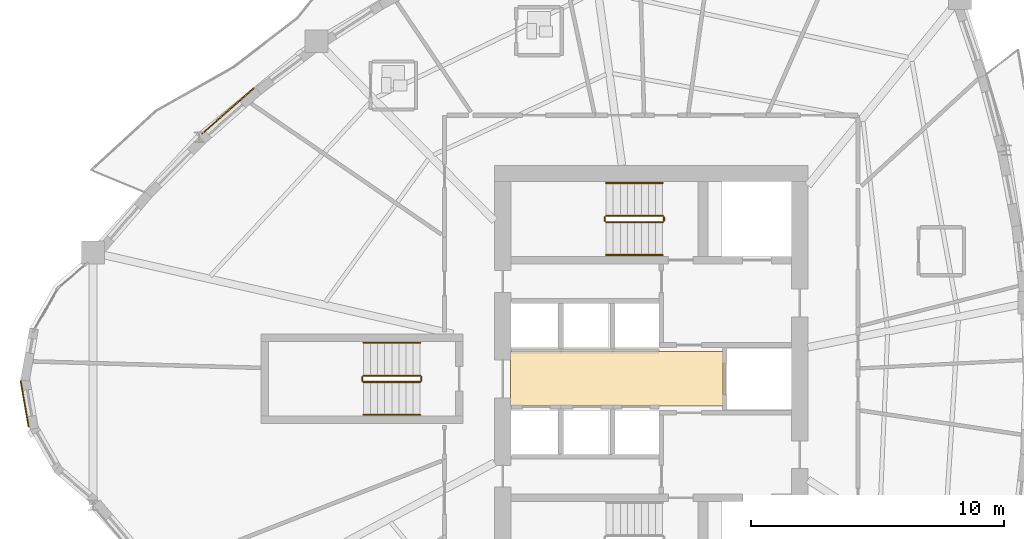
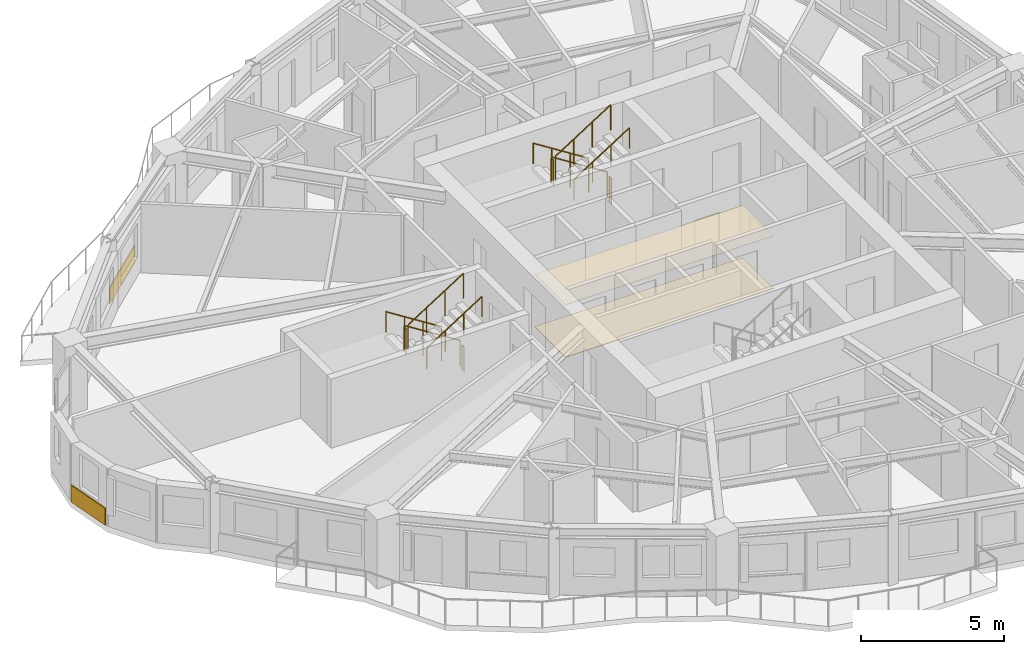
# One storey, part 12 of 14: 12 railings, 4 coverings.
"""IFC4 building model written with IfcOpenShell, lengths in metres."""

from ifc_helpers import new_model, si_unit, direction, frame, origin, origin_2d, place, context, subcontext, project, spatial, polyline, rectangle, circle, outline, extrude, source, transform, mapped, material, layer, layer_set, type_object, element, save


model = new_model("IFC4")

# Units and contexts
model_context = context("Model", 3, precision=1e-05, world=origin(), true_north=direction((0.0, 1.0)))
body_context = subcontext(model_context, "Body", "Model", "MODEL_VIEW")
ifc_project = project(units=[si_unit("LENGTHUNIT", "METRE"), si_unit("AREAUNIT", "SQUARE_METRE"), si_unit("VOLUMEUNIT", "CUBIC_METRE"), si_unit("PLANEANGLEUNIT", "RADIAN"), si_unit("MASSUNIT", "GRAM", prefix="KILO")], contexts=[model_context])

# Site, building, storey
site_placement = place(None, origin())
site = spatial("IfcSite", under=ifc_project, at=site_placement, CompositionType="ELEMENT")
building_placement = place(site_placement, origin())
building = spatial("IfcBuilding", under=site, at=building_placement, Name="Qafzar Sky-Pleat Residences", CompositionType="ELEMENT")
storey_placement = place(building_placement, frame((0.0, 0.0, 73.60009765625)))
storey = spatial("IfcBuildingStorey", under=building, at=storey_placement, Name="L21", CompositionType="ELEMENT", Elevation=73.60009765625)

# Coverings
ifc_material_1 = material(Name="Perforated acoustic gypsum board ceiling")
ifc_layer_1 = layer(ifc_material_1, 0.02001953125)
ifc_layer_set_1 = layer_set([ifc_layer_1], Name="Perforated acoustic gypsum board ceiling")
covering_type_1 = type_object("IfcCoveringType", Name="COV-CEIL-ACOUSTIC", PredefinedType="CEILING", material=ifc_layer_set_1)
covering_1_placement = place(storey_placement, frame((0.0, 0.0, 2.239990234375)))
element("IfcCovering", 1, at=covering_1_placement, inside=storey, type_object=covering_type_1, Name="L21 Passenger Lift Lobby Acoustic Ceiling", PredefinedType="CEILING", context=body_context, shape_type="SweptSolid", body=[
    extrude(outline(polyline([(33.179931640625, 24.919921875), (24.77001953125, 24.919921875), (24.77001953125, 27.080078125), (33.179931640625, 27.080078125), (33.179931640625, 24.919921875)])), origin(), (0.0, 0.0, 1.0), 0.02001953125),
])
ifc_material_2 = material(Name="Honed porcelain and Riyadh stone tile flooring", Category="masonry")
ifc_layer_2 = layer(ifc_material_2, 0.02001953125)
ifc_layer_set_2 = layer_set([ifc_layer_2], Name="Honed porcelain and Riyadh stone tile flooring")
covering_type_2 = type_object("IfcCoveringType", Name="COV-FLR-PORCELAIN", PredefinedType="FLOORING", material=ifc_layer_set_2)
covering_2_placement = place(storey_placement, origin())
element("IfcCovering", 2, at=covering_2_placement, inside=storey, type_object=covering_type_2, Name="L21 Passenger Lift Lobby Honed Stone Flooring", PredefinedType="FLOORING", context=body_context, shape_type="SweptSolid", body=[
    extrude(outline(polyline([(33.179931640625, 24.919921875), (24.77001953125, 24.919921875), (24.77001953125, 27.080078125), (33.179931640625, 27.080078125), (33.179931640625, 24.919921875)])), origin(), (0.0, 0.0, 1.0), 0.02001953125),
])
ifc_material_3 = material(Name="Honed Riyadh Tuwaiq limestone cladding", Category="masonry")
ifc_layer_3 = layer(ifc_material_3, 0.044921875)
ifc_layer_set_3 = layer_set([ifc_layer_3], Name="Honed Riyadh Tuwaiq limestone cladding")
covering_type_3 = type_object("IfcCoveringType", Name="COV-CLAD-STONE", PredefinedType="CLADDING", material=ifc_layer_set_3)
shared_shape_1 = source(origin(), body_context, "Body", "SweptSolid", [
    extrude(rectangle(XDim=1.86572265625, YDim=0.044921875, at=origin_2d()), origin(), (0.0, 0.0, 1.0), 0.719970703125),
])
covering_3_placement = place(storey_placement, frame((5.551513671875, 25.0126953125, 0.02001953125), z_axis=(0.0, 0.0, 1.0), x_axis=(0.172161515838, -0.985068734893, 0.0)))
element("IfcCovering", 3, at=covering_3_placement, inside=storey, type_object=covering_type_3, Name="L21 Riyadh Limestone Spandrel Cladding 4", PredefinedType="CLADDING", context=body_context, shape_type="MappedRepresentation", body=[
    mapped(shared_shape_1, transform((0.0, 0.0, 0.0), x_axis=(1.0, 0.0, 0.0), y_axis=(0.0, 1.0, 0.0), z_axis=(0.0, 0.0, 1.0), scale=1.0)),
])
shared_shape_2 = source(origin(), body_context, "Body", "SweptSolid", [
    extrude(rectangle(XDim=2.734130859375, YDim=0.044921875, at=origin_2d()), origin(), (0.0, 0.0, 1.0), 0.719970703125),
])
covering_4_placement = place(storey_placement, frame((13.593505859375, 36.595703125, 0.02001953125), z_axis=(0.0, 0.0, 1.0), x_axis=(-0.751517441634, -0.659713221725, 0.0)))
element("IfcCovering", 4, at=covering_4_placement, inside=storey, type_object=covering_type_3, Name="L21 Riyadh Limestone Spandrel Cladding 46", PredefinedType="CLADDING", context=body_context, shape_type="MappedRepresentation", body=[
    mapped(shared_shape_2, transform((0.0, 0.0, 0.0), x_axis=(1.0, 0.0, 0.0), y_axis=(0.0, 1.0, 0.0), z_axis=(0.0, 0.0, 1.0), scale=1.0)),
])

# Railings
ifc_material_4 = material(Name="Painted Steel S355 stair guardrail", Category="steel")
railing_type_1 = type_object("IfcRailingType", Name="RAIL-STAIR-GUARD", PredefinedType="GUARDRAIL", material=ifc_material_4)
shared_shape_3 = source(origin(), body_context, "Body", "SweptSolid", [
    extrude(circle(Radius=0.02392578125, at=origin_2d()), frame((0.0, 0.0, 1.076171875), z_axis=(0.0, -1.0, 0.0), x_axis=(1.0, 0.0, 0.0)), (0.0, 0.0, 1.0), 0.14990234375),
    extrude(circle(Radius=0.02099609375, at=origin_2d()), origin(), (0.0, 0.0, 1.0), 1.052001953125),
    extrude(circle(Radius=0.02099609375, at=origin_2d()), frame((0.0, -0.14990234375, 0.0)), (0.0, 0.0, 1.0), 1.052001953125),
])
for number, where, name in (
    (5, (28.510009765625, 32.39990234375, 1.599853515625), "L21 ST2 stair guard 2"),
    (6, (30.85009765625, 32.39990234375, 0.0), "L21 ST2 stair guard 4"),
    (7, (18.909912109375, 26.074951171875, 1.599853515625), "L21 ST3 stair guard 2"),
    (8, (21.25, 26.074951171875, 0.0), "L21 ST3 stair guard 4"),
):
    element("IfcRailing", number, at=place(storey_placement, frame(where)), inside=storey, type_object=railing_type_1, Name=name, PredefinedType="GUARDRAIL", context=body_context, shape_type="MappedRepresentation", body=[
        mapped(shared_shape_3, transform((0.0, 0.0, 0.0), x_axis=(1.0, 0.0, 0.0), y_axis=(0.0, 1.0, 0.0), z_axis=(0.0, 0.0, 1.0), scale=1.0)),
    ])
shared_shape_4 = source(origin(), body_context, "Body", "SweptSolid", [
    extrude(circle(Radius=0.02392578125, at=origin_2d()), frame((0.0, 0.0, 1.076171875), z_axis=(-0.8442293374, 0.0, 0.53598211339), x_axis=(0.0, -1.0, 0.0)), (0.0, 0.0, 1.0), 2.6533203125),
    extrude(circle(Radius=0.02099609375, at=origin_2d()), origin(), (0.0, 0.0, 1.0), 1.052001953125),
    extrude(circle(Radius=0.02099609375, at=origin_2d()), frame((-0.74658203125, 0.0, 0.47412109375)), (0.0, 0.0, 1.0), 1.052001953125),
    extrude(circle(Radius=0.02099609375, at=origin_2d()), frame((-1.493408203125, 0.0, 0.947998046875)), (0.0, 0.0, 1.0), 1.052001953125),
    extrude(circle(Radius=0.02099609375, at=origin_2d()), frame((-2.239990234375, 0.0, 1.422119140625)), (0.0, 0.0, 1.0), 1.052001953125),
])
for number, where, name in (
    (9, (30.800048828125, 32.449951171875, 0.177734375), "L21 ST2 stair guard 1"),
    (10, (21.199951171875, 26.125, 0.177734375), "L21 ST3 stair guard 1"),
):
    element("IfcRailing", number, at=place(storey_placement, frame(where)), inside=storey, type_object=railing_type_1, Name=name, PredefinedType="GUARDRAIL", context=body_context, shape_type="MappedRepresentation", body=[
        mapped(shared_shape_4, transform((0.0, 0.0, 0.0), x_axis=(1.0, 0.0, 0.0), y_axis=(0.0, 1.0, 0.0), z_axis=(0.0, 0.0, 1.0), scale=1.0)),
    ])
ifc_material_5 = material(Name="Brushed stainless steel handrail", Category="steel")
railing_type_2 = type_object("IfcRailingType", Name="RAIL-STAIR-HAND", PredefinedType="HANDRAIL", material=ifc_material_5)
shared_shape_5 = source(origin(), body_context, "Body", "SweptSolid", [
    extrude(circle(Radius=0.02392578125, at=origin_2d()), frame((0.0, 0.0, 0.8759765625), z_axis=(-0.8442293374, 0.0, 0.53598211339), x_axis=(0.0, -1.0, 0.0)), (0.0, 0.0, 1.0), 2.6533203125),
    extrude(circle(Radius=0.02099609375, at=origin_2d()), origin(), (0.0, 0.0, 1.0), 0.851806640625),
    extrude(circle(Radius=0.02099609375, at=origin_2d()), frame((-0.74658203125, 0.0, 0.47412109375)), (0.0, 0.0, 1.0), 0.851806640625),
    extrude(circle(Radius=0.02099609375, at=origin_2d()), frame((-1.493408203125, 0.0, 0.947998046875)), (0.0, 0.0, 1.0), 0.851806640625),
    extrude(circle(Radius=0.02099609375, at=origin_2d()), frame((-2.239990234375, 0.0, 1.422119140625)), (0.0, 0.0, 1.0), 0.851806640625),
])
for number, where, name in (
    (11, (30.800048828125, 33.75, 0.177734375), "L21 ST2 stair handrail 1"),
    (12, (21.199951171875, 27.425048828125, 0.177734375), "L21 ST3 stair handrail 1"),
):
    element("IfcRailing", number, at=place(storey_placement, frame(where)), inside=storey, type_object=railing_type_2, Name=name, PredefinedType="HANDRAIL", context=body_context, shape_type="MappedRepresentation", body=[
        mapped(shared_shape_5, transform((0.0, 0.0, 0.0), x_axis=(1.0, 0.0, 0.0), y_axis=(0.0, 1.0, 0.0), z_axis=(0.0, 0.0, 1.0), scale=1.0)),
    ])
shared_shape_6 = source(origin(), body_context, "Body", "SweptSolid", [
    extrude(circle(Radius=0.02392578125, at=origin_2d()), frame((0.0, 0.0, 1.076171875), z_axis=(0.84418770128, 0.0, 0.536047689118), x_axis=(0.0, 1.0, 0.0)), (0.0, 0.0, 1.0), 2.6533203125),
    extrude(circle(Radius=0.02099609375, at=origin_2d()), origin(), (0.0, 0.0, 1.0), 1.052001953125),
    extrude(circle(Radius=0.02099609375, at=origin_2d()), frame((0.74658203125, 0.0, 0.47412109375)), (0.0, 0.0, 1.0), 1.052001953125),
    extrude(circle(Radius=0.02099609375, at=origin_2d()), frame((1.493408203125, 0.0, 0.9482421875)), (0.0, 0.0, 1.0), 1.052001953125),
    extrude(circle(Radius=0.02099609375, at=origin_2d()), frame((2.239990234375, 0.0, 1.42236328125)), (0.0, 0.0, 1.0), 1.052001953125),
])
for number, where, name in (
    (13, (28.56005859375, 32.199951171875, 1.777587890625), "L21 ST2 stair guard 3"),
    (14, (18.9599609375, 25.875, 1.777587890625), "L21 ST3 stair guard 3"),
):
    element("IfcRailing", number, at=place(storey_placement, frame(where)), inside=storey, type_object=railing_type_1, Name=name, PredefinedType="GUARDRAIL", context=body_context, shape_type="MappedRepresentation", body=[
        mapped(shared_shape_6, transform((0.0, 0.0, 0.0), x_axis=(1.0, 0.0, 0.0), y_axis=(0.0, 1.0, 0.0), z_axis=(0.0, 0.0, 1.0), scale=1.0)),
    ])
shared_shape_7 = source(origin(), body_context, "Body", "SweptSolid", [
    extrude(circle(Radius=0.02392578125, at=origin_2d()), frame((0.0, 0.0, 0.8759765625), z_axis=(0.84418770128, 0.0, 0.536047689118), x_axis=(0.0, 1.0, 0.0)), (0.0, 0.0, 1.0), 2.6533203125),
    extrude(circle(Radius=0.02099609375, at=origin_2d()), origin(), (0.0, 0.0, 1.0), 0.851806640625),
    extrude(circle(Radius=0.02099609375, at=origin_2d()), frame((0.74658203125, 0.0, 0.47412109375)), (0.0, 0.0, 1.0), 0.851806640625),
    extrude(circle(Radius=0.02099609375, at=origin_2d()), frame((1.493408203125, 0.0, 0.9482421875)), (0.0, 0.0, 1.0), 0.851806640625),
    extrude(circle(Radius=0.02099609375, at=origin_2d()), frame((2.239990234375, 0.0, 1.42236328125)), (0.0, 0.0, 1.0), 0.851806640625),
])
for number, where, name in (
    (15, (28.56005859375, 30.89990234375, 1.777587890625), "L21 ST2 stair handrail 2"),
    (16, (18.9599609375, 24.574951171875, 1.777587890625), "L21 ST3 stair handrail 2"),
):
    element("IfcRailing", number, at=place(storey_placement, frame(where)), inside=storey, type_object=railing_type_2, Name=name, PredefinedType="HANDRAIL", context=body_context, shape_type="MappedRepresentation", body=[
        mapped(shared_shape_7, transform((0.0, 0.0, 0.0), x_axis=(1.0, 0.0, 0.0), y_axis=(0.0, 1.0, 0.0), z_axis=(0.0, 0.0, 1.0), scale=1.0)),
    ])

save(model, "model.ifc")
